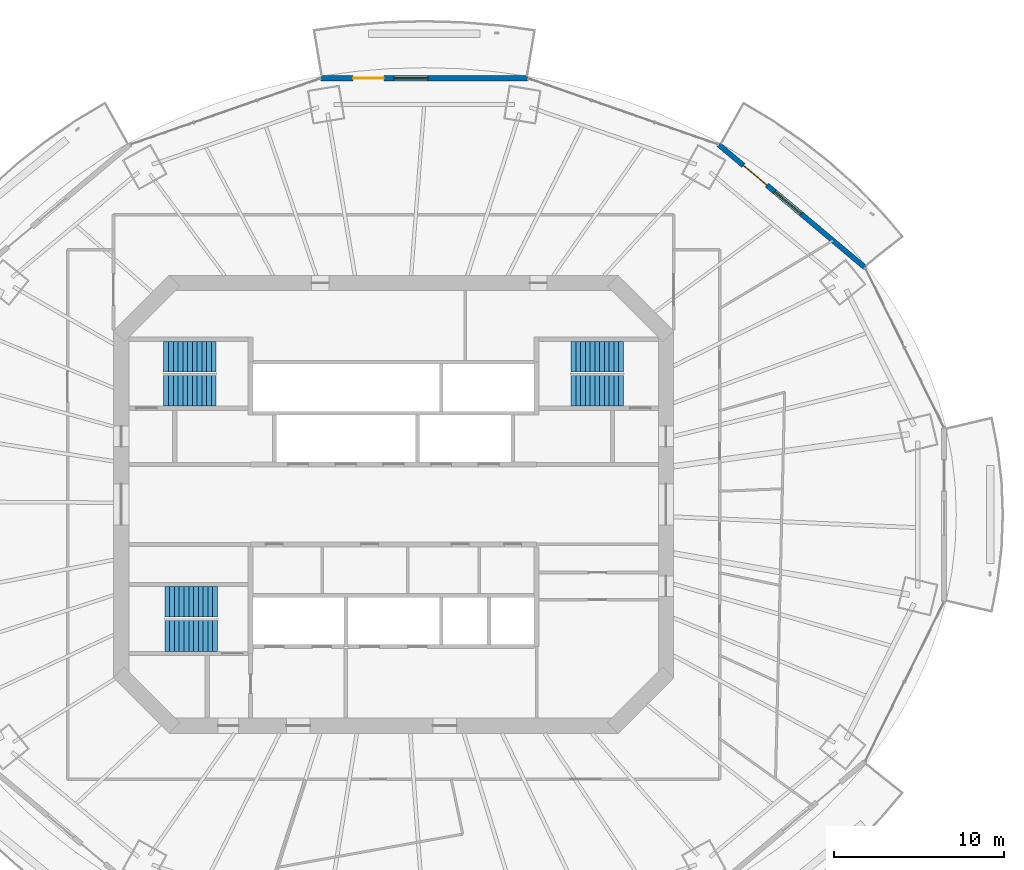
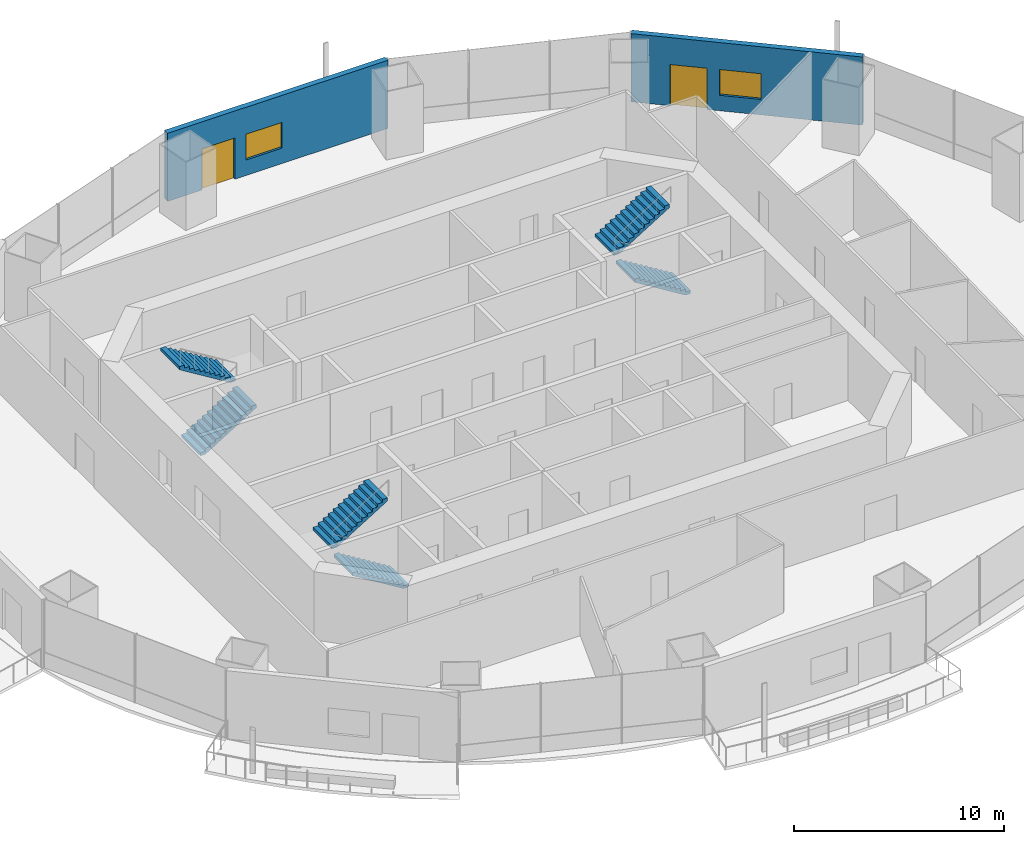
# One storey, part 14 of 20: 6 stair flights, 2 doors, 2 walls, 2 windows, 4 openings, 3 elements without a shape of their own.
"""IFC4 building model written with IfcOpenShell, lengths in metres."""

from ifc_helpers import new_model, si_unit, direction, frame, frame_2d, origin, place, context, subcontext, project, spatial, polyline, rectangle, outline, extrude, material, layer, layer_set, type_object, element, fill, aggregate, save


model = new_model("IFC4")

# Units and contexts
model_context = context("Model", 3, precision=1e-05, world=origin(), true_north=direction((0.0, 1.0)))
body_context = subcontext(model_context, "Body", "Model", "MODEL_VIEW")
ifc_project = project(units=[si_unit("LENGTHUNIT", "METRE"), si_unit("AREAUNIT", "SQUARE_METRE"), si_unit("VOLUMEUNIT", "CUBIC_METRE"), si_unit("PLANEANGLEUNIT", "RADIAN"), si_unit("MASSUNIT", "GRAM", prefix="KILO")], contexts=[model_context])

# Site, building, storey
site_placement = place(None, origin())
site = spatial("IfcSite", under=ifc_project, at=site_placement, CompositionType="ELEMENT")
building_placement = place(site_placement, origin())
building = spatial("IfcBuilding", under=site, at=building_placement, Name="Marenthal Gate Tower", CompositionType="ELEMENT")
storey_placement = place(building_placement, frame((0.0, 0.0, 215.0)))
storey = spatial("IfcBuildingStorey", under=building, at=storey_placement, Name="L47", CompositionType="ELEMENT", Elevation=215.0)

# Wall, openings, door, window
ifc_material_1 = material(Name="Terracotta cladding on insulated concrete-block backing", Category="masonry")
ifc_layer = layer(ifc_material_1, 0.300048828125)
ifc_layer_set = layer_set([ifc_layer], Name="Terracotta facade wall 300")
wall_type = type_object("IfcWallType", Name="Terracotta facade wall 300", PredefinedType="SOLIDWALL", material=ifc_layer_set)
wall_1_placement = place(storey_placement, frame((27.68359375, 13.9169921875, 0.0), z_axis=(0.0, 0.0, 1.0), x_axis=(-0.76593385613, 0.642919379109, 0.0)))
wall_1 = element("IfcWall", 1, at=wall_1_placement, inside=storey, type_object=wall_type, Name="Terracotta facade wall L47 bay 2", PredefinedType="SOLIDWALL", context=body_context, shape_type="SweptSolid", body=[
    extrude(rectangle(XDim=11.21337890625, YDim=0.300048828125, at=frame_2d((5.606689453125, 0.0))), origin(), (0.0, 0.0, 1.0), 3.969970703125),
])
opening_1_placement = place(wall_1_placement, frame((7.51318359375, 0.0, 0.0)))
opening_1 = element("IfcOpeningElement", 2, at=opening_1_placement, cuts=wall_1, Name="Opening BD-L47-02", PredefinedType="OPENING", context=body_context, shape_type="SweptSolid", body=[
    extrude(rectangle(XDim=1.800048828125, YDim=2.39990234375, at=frame_2d((0.89990234375, 1.199951171875))), frame((0.0, 0.16015625, 0.0), z_axis=(0.0, -1.0, 0.0), x_axis=(1.0, 0.0, 0.0)), (0.0, 0.0, 1.0), 0.320068359375),
])
opening_2_placement = place(wall_1_placement, frame((4.913330078125, 0.0, 0.89990234375)))
opening_2 = element("IfcOpeningElement", 3, at=opening_2_placement, cuts=wall_1, Name="Opening WN2-L47-02", PredefinedType="OPENING", context=body_context, shape_type="SweptSolid", body=[
    extrude(rectangle(XDim=2.0, YDim=1.5, at=frame_2d((1.0, 0.75))), frame((0.0, 0.16015625, 0.0), z_axis=(0.0, -1.0, 0.0), x_axis=(1.0, 0.0, 0.0)), (0.0, 0.0, 1.0), 0.320068359375),
])
ifc_material_2 = material(Name="Aluminium and glass", Category="aluminium")
door_type = type_object("IfcDoorType", Name="Balcony door 1800x2400", OperationType="DOUBLE_DOOR_SINGLE_SWING", PredefinedType="DOOR", material=ifc_material_2)
door_1_placement = place(opening_1_placement, origin())
door_1 = element("IfcDoor", 4, at=door_1_placement, inside=storey, type_object=door_type, Name="Balcony door L47 bay 2", OperationType="SINGLE_SWING_LEFT", OverallHeight=2.39990234375, OverallWidth=1.800048828125, PredefinedType="DOOR", context=body_context, shape_type="SweptSolid", body=[
    extrude(rectangle(XDim=1.800048828125, YDim=2.39990234375, at=frame_2d((0.89990234375, 1.199951171875))), frame((0.0, 0.02490234375, 0.0), z_axis=(0.0, -1.0, 0.0), x_axis=(1.0, 0.0, 0.0)), (0.0, 0.0, 1.0), 0.050048828125),
])
fill(opening_1, door_1)
ifc_material_3 = material(Name="Aluminium and glass", Category="aluminium")
window_type = type_object("IfcWindowType", Name="Window 2000x1500", PartitioningType="DOUBLE_PANEL_VERTICAL", PredefinedType="WINDOW", material=ifc_material_3)
window_1_placement = place(opening_2_placement, origin())
window_1 = element("IfcWindow", 5, at=window_1_placement, inside=storey, type_object=window_type, Name="Window L47 bay 2", OverallHeight=1.5, OverallWidth=2.0, PartitioningType="SINGLE_PANEL", PredefinedType="WINDOW", context=body_context, shape_type="SweptSolid", body=[
    extrude(rectangle(XDim=2.0, YDim=1.5, at=frame_2d((1.0, 0.75))), frame((0.0, 0.030029296875, 0.0), z_axis=(0.0, -1.0, 0.0), x_axis=(1.0, 0.0, 0.0)), (0.0, 0.0, 1.0), 0.06005859375),
])
fill(opening_2, window_1)

wall_2_placement = place(storey_placement, frame((7.873291015625, 25.02783203125, 0.0), z_axis=(0.0, 0.0, 1.0), x_axis=(-1.0, 0.0, 0.0)))
wall_2 = element("IfcWall", 6, at=wall_2_placement, inside=storey, type_object=wall_type, Name="Terracotta facade wall L47 bay 4", PredefinedType="SOLIDWALL", context=body_context, shape_type="SweptSolid", body=[
    extrude(rectangle(XDim=12.146484375, YDim=0.300048828125, at=frame_2d((6.0732421875, 0.0))), origin(), (0.0, 0.0, 1.0), 3.969970703125),
])
opening_3_placement = place(wall_2_placement, frame((8.4462890625, 0.0, 0.0)))
opening_3 = element("IfcOpeningElement", 7, at=opening_3_placement, cuts=wall_2, Name="Opening BD-L47-04", PredefinedType="OPENING", context=body_context, shape_type="SweptSolid", body=[
    extrude(rectangle(XDim=1.800048828125, YDim=2.39990234375, at=frame_2d((0.89990234375, 1.199951171875))), frame((0.0, 0.16015625, 0.0), z_axis=(0.0, -1.0, 0.0), x_axis=(1.0, 0.0, 0.0)), (0.0, 0.0, 1.0), 0.320068359375),
])
opening_4_placement = place(wall_2_placement, frame((5.846435546875, 0.0, 0.89990234375)))
opening_4 = element("IfcOpeningElement", 8, at=opening_4_placement, cuts=wall_2, Name="Opening WN2-L47-04", PredefinedType="OPENING", context=body_context, shape_type="SweptSolid", body=[
    extrude(rectangle(XDim=2.0, YDim=1.5, at=frame_2d((1.0, 0.75))), frame((0.0, 0.16015625, 0.0), z_axis=(0.0, -1.0, 0.0), x_axis=(1.0, 0.0, 0.0)), (0.0, 0.0, 1.0), 0.320068359375),
])
door_2_placement = place(opening_3_placement, origin())
door_2 = element("IfcDoor", 9, at=door_2_placement, inside=storey, type_object=door_type, Name="Balcony door L47 bay 4", OperationType="SINGLE_SWING_LEFT", OverallHeight=2.39990234375, OverallWidth=1.800048828125, PredefinedType="DOOR", context=body_context, shape_type="SweptSolid", body=[
    extrude(rectangle(XDim=1.800048828125, YDim=2.39990234375, at=frame_2d((0.89990234375, 1.199951171875))), frame((0.0, 0.02490234375, 0.0), z_axis=(0.0, -1.0, 0.0), x_axis=(1.0, 0.0, 0.0)), (0.0, 0.0, 1.0), 0.050048828125),
])
fill(opening_3, door_2)
window_2_placement = place(opening_4_placement, origin())
window_2 = element("IfcWindow", 10, at=window_2_placement, inside=storey, type_object=window_type, Name="Window L47 bay 4", OverallHeight=1.5, OverallWidth=2.0, PartitioningType="SINGLE_PANEL", PredefinedType="WINDOW", context=body_context, shape_type="SweptSolid", body=[
    extrude(rectangle(XDim=2.0, YDim=1.5, at=frame_2d((1.0, 0.75))), frame((0.0, 0.030029296875, 0.0), z_axis=(0.0, -1.0, 0.0), x_axis=(1.0, 0.0, 0.0)), (0.0, 0.0, 1.0), 0.06005859375),
])
fill(opening_4, window_2)

# Stair, stair flights
ifc_material_4 = material(Name="Concrete 40 MPa", Category="concrete")
stair_type = type_object("IfcStairType", Name="Exit stair 1800", PredefinedType="HALF_TURN_STAIR", material=ifc_material_4)
stair_1_placement = place(storey_placement, origin())
stair_1 = element("IfcStair", 11, at=stair_1_placement, inside=storey, type_object=stair_type, Name="Stair ST1", PredefinedType="HALF_TURN_STAIR")
ifc_material_5 = material(Name="Concrete 40 MPa", Category="concrete")
stair_flight_type = type_object("IfcStairFlightType", Name="Stair flight 1800", PredefinedType="STRAIGHT", material=ifc_material_5)
stair_flight_1_placement = place(storey_placement, frame((-13.5, 6.675048828125, 0.0), z_axis=(0.0, 0.0, 1.0), x_axis=(1.0, 0.0, 0.0)))
stair_flight_1 = element("IfcStairFlight", 12, at=stair_flight_1_placement, type_object=stair_flight_type, Name="ST1 flight 1", NumberOfRisers=12, NumberOfTreads=11, PredefinedType="STRAIGHT", RiserHeight=0.172916667, TreadLength=0.28, context=body_context, shape_type="SweptSolid", body=[
    extrude(outline(polyline([(0.0, 0.0), (0.0, 0.1728515625), (0.280029296875, 0.1728515625), (0.280029296875, 0.345947265625), (0.56005859375, 0.345947265625), (0.56005859375, 0.518798828125), (0.840087890625, 0.518798828125), (0.840087890625, 0.691650390625), (1.1201171875, 0.691650390625), (1.1201171875, 0.864501953125), (1.39990234375, 0.864501953125), (1.39990234375, 1.03759765625), (1.679931640625, 1.03759765625), (1.679931640625, 1.21044921875), (1.9599609375, 1.21044921875), (1.9599609375, 1.38330078125), (2.239990234375, 1.38330078125), (2.239990234375, 1.55615234375), (2.52001953125, 1.55615234375), (2.52001953125, 1.729248046875), (2.800048828125, 1.729248046875), (2.800048828125, 1.902099609375), (3.080078125, 1.902099609375), (3.080078125, 2.074951171875), (3.080078125, 1.725830078125), (0.285400390625, 0.0), (0.0, 0.0)])), frame((0.0, 0.89990234375, 0.0), z_axis=(0.0, -1.0, 0.0), x_axis=(1.0, 0.0, 0.0)), (0.0, 0.0, 1.0), 1.800048828125),
])
stair_flight_2_placement = place(storey_placement, frame((-10.419921875, 8.675048828125, 2.074951171875), z_axis=(0.0, 0.0, 1.0), x_axis=(-1.0, 0.0, 0.0)))
stair_flight_2 = element("IfcStairFlight", 13, at=stair_flight_2_placement, type_object=stair_flight_type, Name="ST1 flight 2", NumberOfRisers=12, NumberOfTreads=11, PredefinedType="STRAIGHT", RiserHeight=0.172916667, TreadLength=0.28, context=body_context, shape_type="SweptSolid", body=[
    extrude(outline(polyline([(0.0, 0.0), (0.0, 0.1728515625), (0.280029296875, 0.1728515625), (0.280029296875, 0.345947265625), (0.56005859375, 0.345947265625), (0.56005859375, 0.518798828125), (0.840087890625, 0.518798828125), (0.840087890625, 0.691650390625), (1.1201171875, 0.691650390625), (1.1201171875, 0.864501953125), (1.39990234375, 0.864501953125), (1.39990234375, 1.03759765625), (1.679931640625, 1.03759765625), (1.679931640625, 1.21044921875), (1.9599609375, 1.21044921875), (1.9599609375, 1.38330078125), (2.239990234375, 1.38330078125), (2.239990234375, 1.55615234375), (2.52001953125, 1.55615234375), (2.52001953125, 1.729248046875), (2.800048828125, 1.729248046875), (2.800048828125, 1.902099609375), (3.080078125, 1.902099609375), (3.080078125, 2.074951171875), (3.080078125, 1.725830078125), (0.285400390625, 0.0), (0.0, 0.0)])), frame((0.0, 0.89990234375, 0.0), z_axis=(0.0, -1.0, 0.0), x_axis=(1.0, 0.0, 0.0)), (0.0, 0.0, 1.0), 1.800048828125),
])
aggregate(stair_1, [stair_flight_1, stair_flight_2])

stair_2_placement = place(storey_placement, origin())
stair_2 = element("IfcStair", 14, at=stair_2_placement, inside=storey, type_object=stair_type, Name="Stair ST2", PredefinedType="HALF_TURN_STAIR")
stair_flight_3_placement = place(storey_placement, frame((-10.35009765625, -7.72509765625, 0.0), z_axis=(0.0, 0.0, 1.0), x_axis=(-1.0, 0.0, 0.0)))
stair_flight_3 = element("IfcStairFlight", 15, at=stair_flight_3_placement, type_object=stair_flight_type, Name="ST2 flight 1", NumberOfRisers=12, NumberOfTreads=11, PredefinedType="STRAIGHT", RiserHeight=0.172916667, TreadLength=0.28, context=body_context, shape_type="SweptSolid", body=[
    extrude(outline(polyline([(0.0, 0.0), (0.0, 0.1728515625), (0.280029296875, 0.1728515625), (0.280029296875, 0.345947265625), (0.56005859375, 0.345947265625), (0.56005859375, 0.518798828125), (0.840087890625, 0.518798828125), (0.840087890625, 0.691650390625), (1.1201171875, 0.691650390625), (1.1201171875, 0.864501953125), (1.39990234375, 0.864501953125), (1.39990234375, 1.03759765625), (1.679931640625, 1.03759765625), (1.679931640625, 1.21044921875), (1.9599609375, 1.21044921875), (1.9599609375, 1.38330078125), (2.239990234375, 1.38330078125), (2.239990234375, 1.55615234375), (2.52001953125, 1.55615234375), (2.52001953125, 1.729248046875), (2.800048828125, 1.729248046875), (2.800048828125, 1.902099609375), (3.080078125, 1.902099609375), (3.080078125, 2.074951171875), (3.080078125, 1.725830078125), (0.285400390625, 0.0), (0.0, 0.0)])), frame((0.0, 0.89990234375, 0.0), z_axis=(0.0, -1.0, 0.0), x_axis=(1.0, 0.0, 0.0)), (0.0, 0.0, 1.0), 1.800048828125),
])
stair_flight_4_placement = place(storey_placement, frame((-13.429931640625, -5.72509765625, 2.074951171875), z_axis=(0.0, 0.0, 1.0), x_axis=(1.0, 0.0, 0.0)))
stair_flight_4 = element("IfcStairFlight", 16, at=stair_flight_4_placement, type_object=stair_flight_type, Name="ST2 flight 2", NumberOfRisers=12, NumberOfTreads=11, PredefinedType="STRAIGHT", RiserHeight=0.172916667, TreadLength=0.28, context=body_context, shape_type="SweptSolid", body=[
    extrude(outline(polyline([(0.0, 0.0), (0.0, 0.1728515625), (0.280029296875, 0.1728515625), (0.280029296875, 0.345947265625), (0.56005859375, 0.345947265625), (0.56005859375, 0.518798828125), (0.840087890625, 0.518798828125), (0.840087890625, 0.691650390625), (1.1201171875, 0.691650390625), (1.1201171875, 0.864501953125), (1.39990234375, 0.864501953125), (1.39990234375, 1.03759765625), (1.679931640625, 1.03759765625), (1.679931640625, 1.21044921875), (1.9599609375, 1.21044921875), (1.9599609375, 1.38330078125), (2.239990234375, 1.38330078125), (2.239990234375, 1.55615234375), (2.52001953125, 1.55615234375), (2.52001953125, 1.729248046875), (2.800048828125, 1.729248046875), (2.800048828125, 1.902099609375), (3.080078125, 1.902099609375), (3.080078125, 2.074951171875), (3.080078125, 1.725830078125), (0.285400390625, 0.0), (0.0, 0.0)])), frame((0.0, 0.89990234375, 0.0), z_axis=(0.0, -1.0, 0.0), x_axis=(1.0, 0.0, 0.0)), (0.0, 0.0, 1.0), 1.800048828125),
])
aggregate(stair_2, [stair_flight_3, stair_flight_4])

stair_3_placement = place(storey_placement, origin())
stair_3 = element("IfcStair", 17, at=stair_3_placement, inside=storey, type_object=stair_type, Name="Stair ST3", PredefinedType="HALF_TURN_STAIR")
stair_flight_5_placement = place(storey_placement, frame((13.5, 6.675048828125, 0.0), z_axis=(0.0, 0.0, 1.0), x_axis=(-1.0, 0.0, 0.0)))
stair_flight_5 = element("IfcStairFlight", 18, at=stair_flight_5_placement, type_object=stair_flight_type, Name="ST3 flight 1", NumberOfRisers=12, NumberOfTreads=11, PredefinedType="STRAIGHT", RiserHeight=0.172916667, TreadLength=0.28, context=body_context, shape_type="SweptSolid", body=[
    extrude(outline(polyline([(0.0, 0.0), (0.0, 0.1728515625), (0.280029296875, 0.1728515625), (0.280029296875, 0.345947265625), (0.56005859375, 0.345947265625), (0.56005859375, 0.518798828125), (0.840087890625, 0.518798828125), (0.840087890625, 0.691650390625), (1.1201171875, 0.691650390625), (1.1201171875, 0.864501953125), (1.39990234375, 0.864501953125), (1.39990234375, 1.03759765625), (1.679931640625, 1.03759765625), (1.679931640625, 1.21044921875), (1.9599609375, 1.21044921875), (1.9599609375, 1.38330078125), (2.239990234375, 1.38330078125), (2.239990234375, 1.55615234375), (2.52001953125, 1.55615234375), (2.52001953125, 1.729248046875), (2.800048828125, 1.729248046875), (2.800048828125, 1.902099609375), (3.080078125, 1.902099609375), (3.080078125, 2.074951171875), (3.080078125, 1.725830078125), (0.285400390625, 0.0), (0.0, 0.0)])), frame((0.0, 0.89990234375, 0.0), z_axis=(0.0, -1.0, 0.0), x_axis=(1.0, 0.0, 0.0)), (0.0, 0.0, 1.0), 1.800048828125),
])
stair_flight_6_placement = place(storey_placement, frame((10.419921875, 8.675048828125, 2.074951171875), z_axis=(0.0, 0.0, 1.0), x_axis=(1.0, 0.0, 0.0)))
stair_flight_6 = element("IfcStairFlight", 19, at=stair_flight_6_placement, type_object=stair_flight_type, Name="ST3 flight 2", NumberOfRisers=12, NumberOfTreads=11, PredefinedType="STRAIGHT", RiserHeight=0.172916667, TreadLength=0.28, context=body_context, shape_type="SweptSolid", body=[
    extrude(outline(polyline([(0.0, 0.0), (0.0, 0.1728515625), (0.280029296875, 0.1728515625), (0.280029296875, 0.345947265625), (0.56005859375, 0.345947265625), (0.56005859375, 0.518798828125), (0.840087890625, 0.518798828125), (0.840087890625, 0.691650390625), (1.1201171875, 0.691650390625), (1.1201171875, 0.864501953125), (1.39990234375, 0.864501953125), (1.39990234375, 1.03759765625), (1.679931640625, 1.03759765625), (1.679931640625, 1.21044921875), (1.9599609375, 1.21044921875), (1.9599609375, 1.38330078125), (2.239990234375, 1.38330078125), (2.239990234375, 1.55615234375), (2.52001953125, 1.55615234375), (2.52001953125, 1.729248046875), (2.800048828125, 1.729248046875), (2.800048828125, 1.902099609375), (3.080078125, 1.902099609375), (3.080078125, 2.074951171875), (3.080078125, 1.725830078125), (0.285400390625, 0.0), (0.0, 0.0)])), frame((0.0, 0.89990234375, 0.0), z_axis=(0.0, -1.0, 0.0), x_axis=(1.0, 0.0, 0.0)), (0.0, 0.0, 1.0), 1.800048828125),
])
aggregate(stair_3, [stair_flight_5, stair_flight_6])

save(model, "model.ifc")
